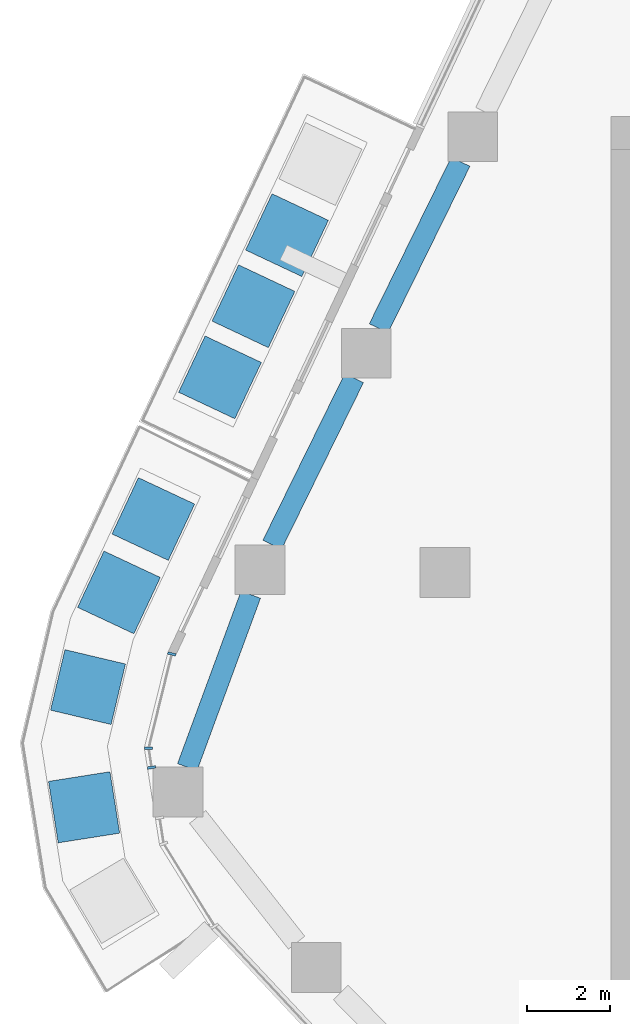
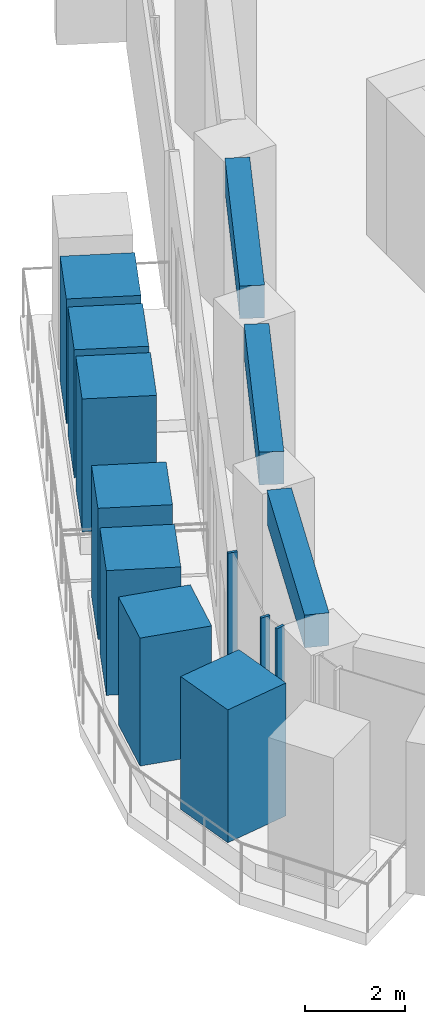
# One storey, part 4 of 18: 10 members, 3 beams, 1 element without a shape of its own.
"""IFC4 building model written with IfcOpenShell, lengths in metres."""

from ifc_helpers import new_model, si_unit, direction, frame, origin, origin_2d, place, context, subcontext, project, spatial, rectangle, extrude, material, layer, layer_set, material_profile, profile_set, type_object, element, aggregate, save


model = new_model("IFC4")

# Units and contexts
model_context = context("Model", 3, precision=1e-05, world=origin(), true_north=direction((0.0, 1.0)))
body_context = subcontext(model_context, "Body", "Model", "MODEL_VIEW")
ifc_project = project(units=[si_unit("LENGTHUNIT", "METRE"), si_unit("AREAUNIT", "SQUARE_METRE"), si_unit("VOLUMEUNIT", "CUBIC_METRE"), si_unit("PLANEANGLEUNIT", "RADIAN"), si_unit("MASSUNIT", "GRAM", prefix="KILO")], contexts=[model_context])

# Site, building, storey
site_placement = place(None, origin())
site = spatial("IfcSite", under=ifc_project, at=site_placement, CompositionType="ELEMENT")
building_placement = place(site_placement, origin())
building = spatial("IfcBuilding", under=site, at=building_placement, Name="Dongbaek Canopy Tower", CompositionType="ELEMENT")
storey_placement = place(building_placement, frame((0.0, 0.0, 158.60009765625)))
storey = spatial("IfcBuildingStorey", under=building, at=storey_placement, Name="L34", CompositionType="ELEMENT", Elevation=158.60009765625)

# Curtain wall, members
ifc_material_1 = material(Name="Aluminium 6063-T6 pale anodised", Category="aluminium")
ifc_layer = layer(ifc_material_1, 0.199951171875)
ifc_layer_set = layer_set([ifc_layer], Name="CW-1 unitised tower curtain wall")
curtain_wall_type = type_object("IfcCurtainWallType", Name="CW-1 unitised tower curtain wall", PredefinedType="NOTDEFINED", material=ifc_layer_set)
curtain_wall_placement = place(storey_placement, origin())
curtain_wall = element("IfcCurtainWall", 1, at=curtain_wall_placement, inside=storey, type_object=curtain_wall_type, Name="CW-1 curtain wall K3.1a", PredefinedType="NOTDEFINED")
ifc_material_2 = material(Name="Aluminium 6063-T6 pale anodised", Category="aluminium")
ifc_material_profile_1 = material_profile(ifc_material_2, rectangle(XDim=0.199951171875, YDim=0.06005859375, at=origin_2d()), Name="CW-1 mullion 60 x 200")
ifc_profile_set_1 = profile_set([ifc_material_profile_1], Name="Aluminium 6063-T6 pale anodised")
member_type_1 = type_object("IfcMemberType", Name="CW-1 mullion 60 x 200", PredefinedType="MULLION", material=ifc_profile_set_1)
member_1_placement = place(storey_placement, frame((-24.588134765625, -1.962646484375, 0.0), z_axis=(0.0, 0.0, 1.0), x_axis=(-0.971000654774, 0.23907682537, 0.0)))
member_1 = element("IfcMember", 2, at=member_1_placement, type_object=member_type_1, Name="CW-1 mullion K3.1a.1", PredefinedType="MULLION", context=body_context, shape_type="SweptSolid", body=[
    extrude(rectangle(XDim=0.199951171875, YDim=0.06005859375, at=origin_2d()), origin(), (0.0, 0.0, 1.0), 3.81982421875),
])
member_2_placement = place(storey_placement, frame((-25.147705078125, -4.235595703125, 0.0), z_axis=(0.0, 0.0, 1.0), x_axis=(-0.999095549109, 0.04252156807, 0.0)))
member_2 = element("IfcMember", 3, at=member_2_placement, type_object=member_type_1, Name="CW-1 mullion K3.1a.2", PredefinedType="MULLION", context=body_context, shape_type="SweptSolid", body=[
    extrude(rectangle(XDim=0.199951171875, YDim=0.06005859375, at=origin_2d()), origin(), (0.0, 0.0, 1.0), 3.81982421875),
])
member_3_placement = place(storey_placement, frame((-25.074462890625, -4.7001953125, 0.0), z_axis=(0.0, 0.0, 1.0), x_axis=(-0.987802807616, -0.155710029436, 0.0)))
member_3 = element("IfcMember", 4, at=member_3_placement, type_object=member_type_1, Name="CW-1 mullion K3.1a.3", PredefinedType="MULLION", context=body_context, shape_type="SweptSolid", body=[
    extrude(rectangle(XDim=0.199951171875, YDim=0.06005859375, at=origin_2d()), origin(), (0.0, 0.0, 1.0), 3.81982421875),
])
aggregate(curtain_wall, [member_1, member_2, member_3])

# Beams
ifc_material_3 = material(Name="Concrete C70", Category="concrete")
ifc_material_profile_2 = material_profile(ifc_material_3, rectangle(XDim=0.5, YDim=0.800048828125, at=origin_2d()), Name="RC EDGE BEAM 500x800 C70")
ifc_profile_set_2 = profile_set([ifc_material_profile_2], Name="Concrete C70")
beam_type = type_object("IfcBeamType", Name="RC EDGE BEAM 500x800 C70", PredefinedType="BEAM", material=ifc_profile_set_2)
beam_1_placement = place(storey_placement, frame((-24.214111328125, -4.694091796875, 3.419921875), z_axis=(0.34534810305, 0.938474660137, 0.0), x_axis=(-0.938474660137, 0.34534810305, 0.0)))
element("IfcBeam", 5, at=beam_1_placement, inside=storey, type_object=beam_type, Name="EDGEBEAM:L34:08", PredefinedType="BEAM", context=body_context, shape_type="SweptSolid", body=[
    extrude(rectangle(XDim=0.5, YDim=0.800048828125, at=origin_2d()), origin(), (0.0, 0.0, 1.0), 4.433837890625),
])
beam_2_placement = place(storey_placement, frame((-22.1669921875, 0.6669921875, 3.419921875), z_axis=(0.441142658474, 0.897436992147, 0.0), x_axis=(-0.897436992147, 0.441142658474, 0.0)))
element("IfcBeam", 6, at=beam_2_placement, inside=storey, type_object=beam_type, Name="EDGEBEAM:L34:09", PredefinedType="BEAM", context=body_context, shape_type="SweptSolid", body=[
    extrude(rectangle(XDim=0.5, YDim=0.800048828125, at=origin_2d()), origin(), (0.0, 0.0, 1.0), 4.4794921875),
])
beam_3_placement = place(storey_placement, frame((-19.6005859375, 5.886962890625, 3.419921875), z_axis=(0.441534821152, 0.897244114893, 0.0), x_axis=(-0.897244114893, 0.441534821152, 0.0)))
element("IfcBeam", 7, at=beam_3_placement, inside=storey, type_object=beam_type, Name="EDGEBEAM:L34:10", PredefinedType="BEAM", context=body_context, shape_type="SweptSolid", body=[
    extrude(rectangle(XDim=0.5, YDim=0.800048828125, at=origin_2d()), origin(), (0.0, 0.0, 1.0), 4.478271484375),
])

# Members
ifc_material_4 = material(Name="Concrete C40/50 planter mass with planting", Category="concrete")
ifc_material_profile_3 = material_profile(ifc_material_4, rectangle(XDim=1.5, YDim=1.5, at=origin_2d()), Name="Terrace PLANTER shrub mass 1500 x 1500")
ifc_profile_set_3 = profile_set([ifc_material_profile_3], Name="Concrete C40/50 planter mass with planting")
member_type_2 = type_object("IfcMemberType", Name="Terrace PLANTER shrub mass 1500 x 1500", PredefinedType="USERDEFINED", material=ifc_profile_set_3)
member_4_placement = place(storey_placement, frame((-21.809814453125, 8.13427734375, 0.419921875), z_axis=(0.0, 0.0, 1.0), x_axis=(-0.904625717834, 0.426206887126, 0.0)))
element("IfcMember", 8, at=member_4_placement, inside=storey, type_object=member_type_2, Name="Planter shrubs L34 1.2", ObjectType="PLANTER", PredefinedType="USERDEFINED", context=body_context, shape_type="SweptSolid", body=[
    extrude(rectangle(XDim=1.5, YDim=1.5, at=origin_2d()), origin(), (0.0, 0.0, 1.0), 3.050048828125),
])
member_5_placement = place(storey_placement, frame((-22.617431640625, 6.419921875, 0.419921875), z_axis=(0.0, 0.0, 1.0), x_axis=(-0.904625717834, 0.426206887126, 0.0)))
element("IfcMember", 9, at=member_5_placement, inside=storey, type_object=member_type_2, Name="Planter shrubs L34 1.3", ObjectType="PLANTER", PredefinedType="USERDEFINED", context=body_context, shape_type="SweptSolid", body=[
    extrude(rectangle(XDim=1.5, YDim=1.5, at=origin_2d()), origin(), (0.0, 0.0, 1.0), 3.1298828125),
])
member_6_placement = place(storey_placement, frame((-23.425048828125, 4.70556640625, 0.419921875), z_axis=(0.0, 0.0, 1.0), x_axis=(-0.904625717834, 0.426206887126, 0.0)))
element("IfcMember", 10, at=member_6_placement, inside=storey, type_object=member_type_2, Name="Planter shrubs L34 1.4", ObjectType="PLANTER", PredefinedType="USERDEFINED", context=body_context, shape_type="SweptSolid", body=[
    extrude(rectangle(XDim=1.5, YDim=1.5, at=origin_2d()), origin(), (0.0, 0.0, 1.0), 3.25),
])
member_7_placement = place(storey_placement, frame((-25.031982421875, 1.2900390625, 0.419921875), z_axis=(0.0, 0.0, 1.0), x_axis=(-0.905534152634, 0.42427337698, 0.0)))
element("IfcMember", 11, at=member_7_placement, inside=storey, type_object=member_type_2, Name="Planter shrubs L34 3.1", ObjectType="PLANTER", PredefinedType="USERDEFINED", context=body_context, shape_type="SweptSolid", body=[
    extrude(rectangle(XDim=1.5, YDim=1.5, at=origin_2d()), origin(), (0.0, 0.0, 1.0), 3.2099609375),
])
member_8_placement = place(storey_placement, frame((-25.861083984375, -0.4794921875, 0.419921875), z_axis=(0.0, 0.0, 1.0), x_axis=(-0.905534152634, 0.42427337698, 0.0)))
element("IfcMember", 12, at=member_8_placement, inside=storey, type_object=member_type_2, Name="Planter shrubs L34 3.2", ObjectType="PLANTER", PredefinedType="USERDEFINED", context=body_context, shape_type="SweptSolid", body=[
    extrude(rectangle(XDim=1.5, YDim=1.5, at=origin_2d()), origin(), (0.0, 0.0, 1.0), 3.050048828125),
])
member_9_placement = place(storey_placement, frame((-26.60693359375, -2.76171875, 0.419921875), z_axis=(0.0, 0.0, 1.0), x_axis=(-0.973041614967, 0.230629606823, 0.0)))
element("IfcMember", 13, at=member_9_placement, inside=storey, type_object=member_type_2, Name="Planter shrubs L34 3.3", ObjectType="PLANTER", PredefinedType="USERDEFINED", context=body_context, shape_type="SweptSolid", body=[
    extrude(rectangle(XDim=1.5, YDim=1.5, at=origin_2d()), origin(), (0.0, 0.0, 1.0), 3.1298828125),
])
member_10_placement = place(storey_placement, frame((-26.70166015625, -5.66015625, 0.419921875), z_axis=(0.0, 0.0, 1.0), x_axis=(-0.987802807616, -0.155710029436, 0.0)))
element("IfcMember", 14, at=member_10_placement, inside=storey, type_object=member_type_2, Name="Planter shrubs L34 3.4", ObjectType="PLANTER", PredefinedType="USERDEFINED", context=body_context, shape_type="SweptSolid", body=[
    extrude(rectangle(XDim=1.5, YDim=1.5, at=origin_2d()), origin(), (0.0, 0.0, 1.0), 3.25),
])

save(model, "model.ifc")
